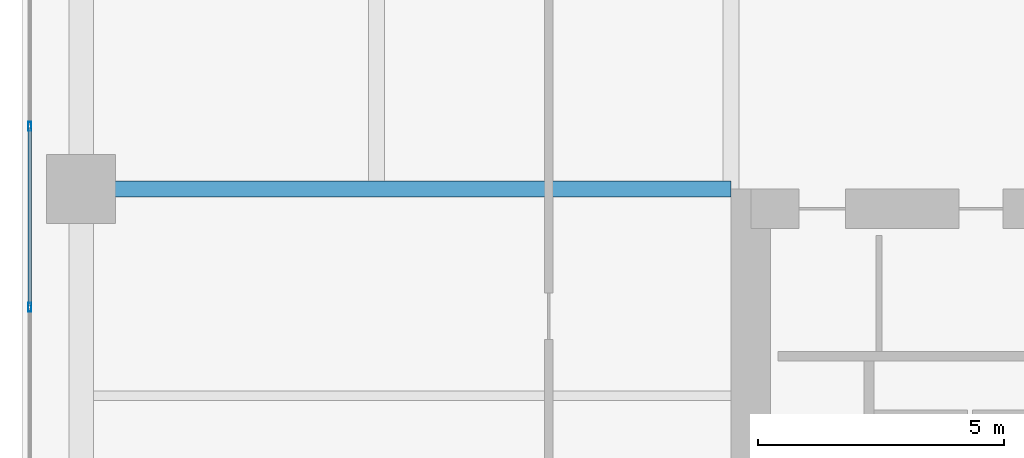
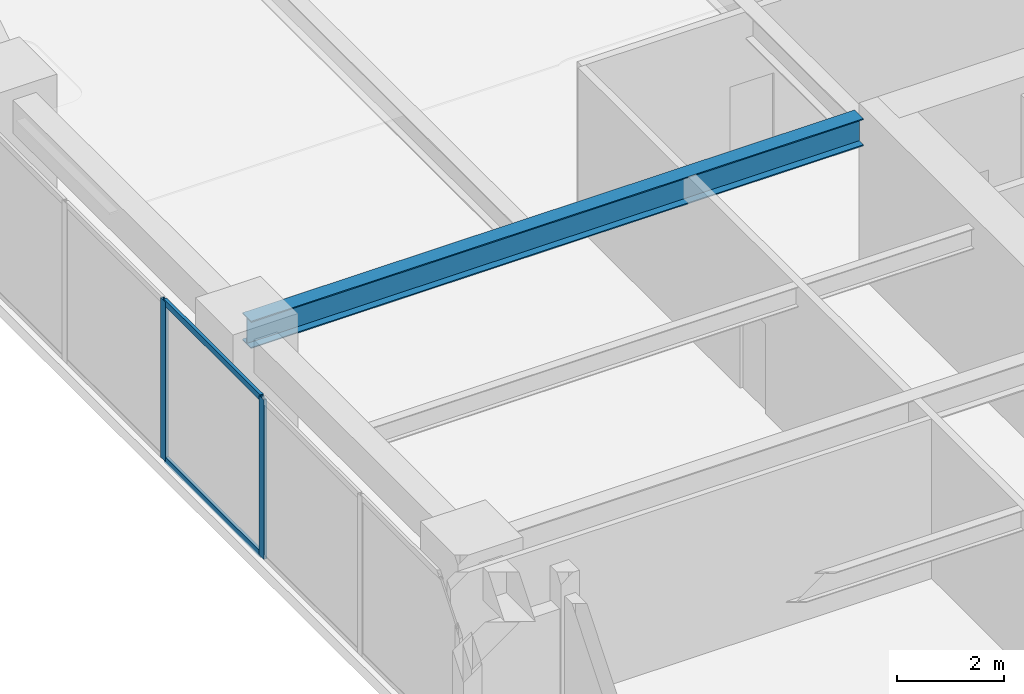
# One storey, part 8 of 24: 4 members, 1 beam, 1 element without a shape of its own.
"""IFC4 building model written with IfcOpenShell, lengths in metres."""

from ifc_helpers import new_model, si_unit, direction, frame, origin, origin_2d, place, context, subcontext, project, spatial, hollow_rectangle, i_section, extrude, material, layer, layer_set, material_profile, profile_set, type_object, element, aggregate, save


model = new_model("IFC4")

# Units and contexts
model_context = context("Model", 3, precision=1e-05, world=origin(), true_north=direction((0.0, 1.0)))
body_context = subcontext(model_context, "Body", "Model", "MODEL_VIEW")
ifc_project = project(units=[si_unit("LENGTHUNIT", "METRE"), si_unit("AREAUNIT", "SQUARE_METRE"), si_unit("VOLUMEUNIT", "CUBIC_METRE"), si_unit("PLANEANGLEUNIT", "RADIAN"), si_unit("MASSUNIT", "GRAM", prefix="KILO")], contexts=[model_context])

# Site, building, storey
site_placement = place(None, origin())
site = spatial("IfcSite", under=ifc_project, at=site_placement, CompositionType="ELEMENT")
building_placement = place(site_placement, origin())
building = spatial("IfcBuilding", under=site, at=building_placement, Name="Kiyonajd Concourse Tower", CompositionType="ELEMENT")
storey_placement = place(building_placement, frame((0.0, 0.0, 117.0)))
storey = spatial("IfcBuildingStorey", under=building, at=storey_placement, Name="L30", CompositionType="ELEMENT", Elevation=117.0)

# Beam
ifc_material_1 = material(Name="Steel ASTM A992 Grade 50", Category="steel")
ifc_material_profile_1 = material_profile(ifc_material_1, i_section(OverallWidth=0.326904296875, OverallDepth=0.6220703125, WebThickness=0.015380859375, FlangeThickness=0.0244140625, at=origin_2d()), Name="W610X195")
ifc_profile_set_1 = profile_set([ifc_material_profile_1], Name="Steel ASTM A992 Grade 50")
beam_type = type_object("IfcBeamType", Name="BM-TWR-610A", PredefinedType="BEAM", material=ifc_profile_set_1)
beam_placement = place(storey_placement, frame((19.199951171875, 44.39990234375, 3.3291015625), z_axis=(1.0, 0.0, 0.0), x_axis=(0.0, 1.0, 0.0)))
element("IfcBeam", 1, at=beam_placement, inside=storey, type_object=beam_type, Name="L30 West Lease Girder", PredefinedType="BEAM", context=body_context, shape_type="SweptSolid", body=[
    extrude(i_section(OverallWidth=0.326904296875, OverallDepth=0.6220703125, WebThickness=0.015380859375, FlangeThickness=0.0244140625, at=origin_2d()), origin(), (0.0, 0.0, 1.0), 13.199951171875),
])

# Curtain wall, members
ifc_material_2 = material(Name="Thermally Broken Anodised Aluminium", Category="aluminium")
ifc_layer = layer(ifc_material_2, 0.179931640625)
ifc_layer_set = layer_set([ifc_layer], Name="Thermally Broken Anodised Aluminium")
curtain_wall_type = type_object("IfcCurtainWallType", Name="CW-SYS-03", PredefinedType="NOTDEFINED", material=ifc_layer_set)
curtain_wall_placement = place(storey_placement, origin())
curtain_wall = element("IfcCurtainWall", 2, at=curtain_wall_placement, inside=storey, type_object=curtain_wall_type, Name="L30 Unitised Curtain Wall CW3", PredefinedType="NOTDEFINED")
ifc_material_profile_2 = material_profile(ifc_material_2, hollow_rectangle(XDim=0.06494140625, YDim=0.179931640625, WallThickness=0.00390625, at=origin_2d()), Name="MULL-65x180")
ifc_profile_set_2 = profile_set([ifc_material_profile_2], Name="Thermally Broken Anodised Aluminium")
member_type_1 = type_object("IfcMemberType", Name="MB-CW-MULL1", PredefinedType="MULLION", material=ifc_profile_set_2)
member_1_placement = place(storey_placement, frame((18.159912109375, 41.996337890625, 0.0), z_axis=(0.0, 0.0, 1.0), x_axis=(-1.0, 0.0, 0.0)))
member_1 = element("IfcMember", 3, at=member_1_placement, type_object=member_type_1, Name="CW3 mullion 3", PredefinedType="MULLION", context=body_context, shape_type="SweptSolid", body=[
    extrude(hollow_rectangle(XDim=0.06494140625, YDim=0.179931640625, WallThickness=0.00390625, at=origin_2d()), origin(), (0.0, 0.0, 1.0), 3.639892578125),
])
member_2_placement = place(storey_placement, frame((18.159912109375, 45.66943359375, 0.0), z_axis=(0.0, 0.0, 1.0), x_axis=(-1.0, 0.0, 0.0)))
member_2 = element("IfcMember", 4, at=member_2_placement, type_object=member_type_1, Name="CW3 mullion 4", PredefinedType="MULLION", context=body_context, shape_type="SweptSolid", body=[
    extrude(hollow_rectangle(XDim=0.06494140625, YDim=0.179931640625, WallThickness=0.00390625, at=origin_2d()), origin(), (0.0, 0.0, 1.0), 3.639892578125),
])
ifc_material_profile_3 = material_profile(ifc_material_2, hollow_rectangle(XDim=0.06494140625, YDim=0.139892578125, WallThickness=0.00390625, at=origin_2d()), Name="TRAN-65x140")
ifc_profile_set_3 = profile_set([ifc_material_profile_3], Name="Thermally Broken Anodised Aluminium")
member_type_2 = type_object("IfcMemberType", Name="MB-CW-TRAN1", PredefinedType="USERDEFINED", material=ifc_profile_set_3)
member_3_placement = place(storey_placement, frame((18.159912109375, 42.02880859375, 0.032470703125), z_axis=(0.0, 1.0, 0.0), x_axis=(-1.0, 0.0, 0.0)))
member_3 = element("IfcMember", 5, at=member_3_placement, type_object=member_type_2, Name="CW3 transom 3.1", ObjectType="TRANSOM", PredefinedType="USERDEFINED", context=body_context, shape_type="SweptSolid", body=[
    extrude(hollow_rectangle(XDim=0.06494140625, YDim=0.139892578125, WallThickness=0.00390625, at=origin_2d()), origin(), (0.0, 0.0, 1.0), 3.608154296875),
])
member_4_placement = place(storey_placement, frame((18.159912109375, 42.02880859375, 3.607421875), z_axis=(0.0, 1.0, 0.0), x_axis=(-1.0, 0.0, 0.0)))
member_4 = element("IfcMember", 6, at=member_4_placement, type_object=member_type_2, Name="CW3 transom 3.2", ObjectType="TRANSOM", PredefinedType="USERDEFINED", context=body_context, shape_type="SweptSolid", body=[
    extrude(hollow_rectangle(XDim=0.06494140625, YDim=0.139892578125, WallThickness=0.00390625, at=origin_2d()), origin(), (0.0, 0.0, 1.0), 3.608154296875),
])
aggregate(curtain_wall, [member_1, member_2, member_3, member_4])

save(model, "model.ifc")
